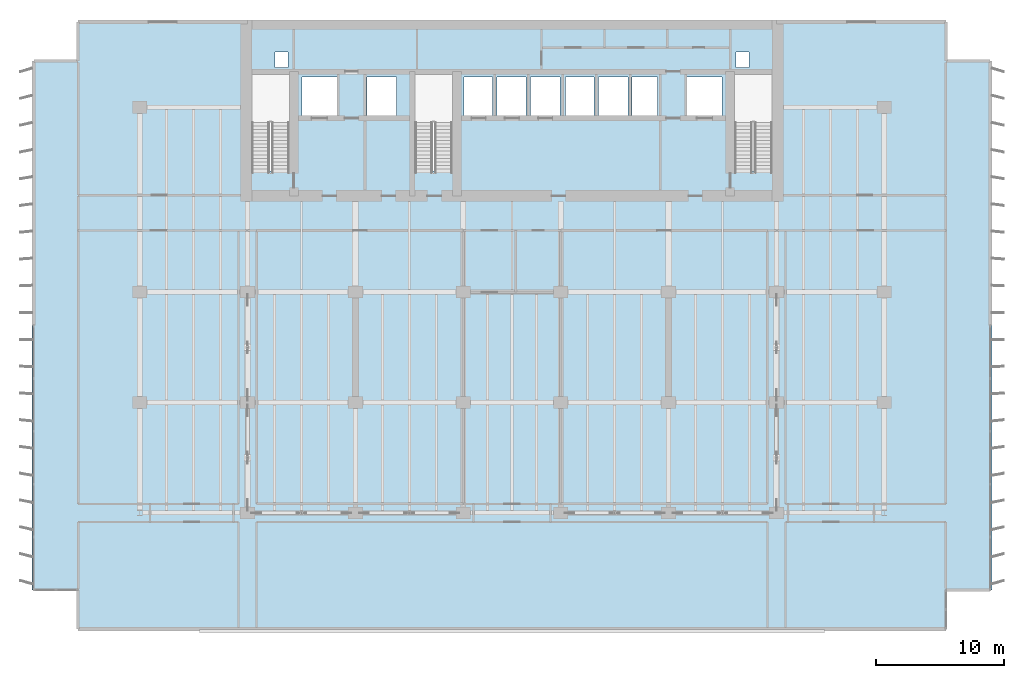
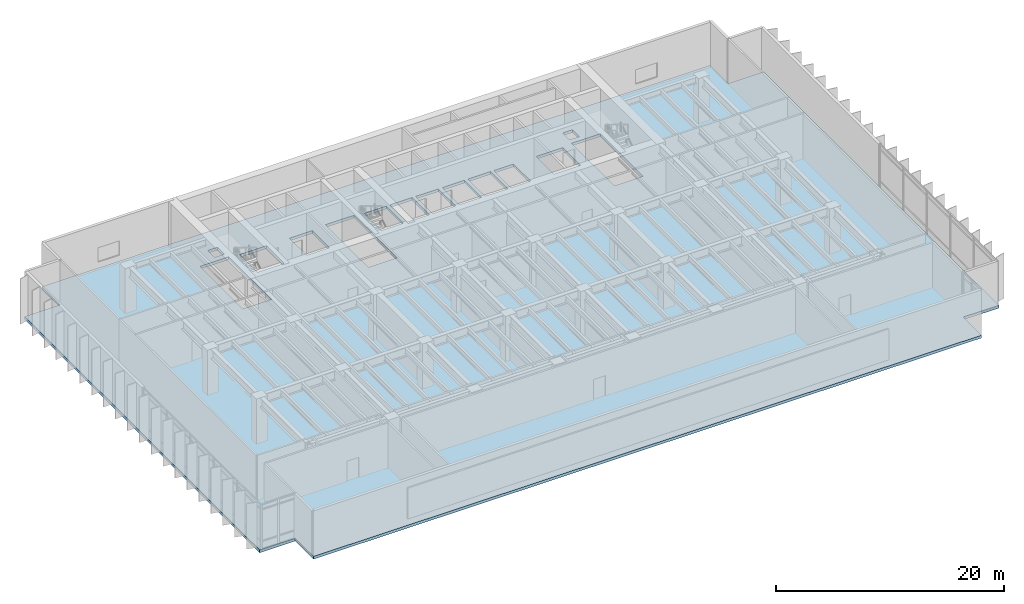
# One storey, part 12 of 21: 1 slab.
"""IFC4 building model written with IfcOpenShell, lengths in metres."""

import ifcopenshell
import ifcopenshell.guid

model = None  # the IFC model being written
_history = None  # IfcOwnerHistory: only IFC2X3 demands one
_inside = {}  # id of a spatial element -> (the spatial element, [elements in it])
_under = {}  # id of a project, library or spatial element -> (it, [spatial elements below it])
_declared = {}  # id of a project -> (the project, [libraries it declares])
_typed = {}  # id of a type object -> (the type object, [elements of that type])
_made_of = {}  # id of a material, layer set ... -> (it, [elements and type objects made of it])


def new_model(schema):
    """Start an empty IFC model of exactly this schema.

    Asked for "IFC4X3", IfcOpenShell would pick the latest addendum, in which some entities
    have other attributes; the version numbers below select the first issue.
    IFC2X3 requires an IfcOwnerHistory on every rooted entity: one is made here for all.
    """
    global model, _history
    if schema == "IFC4X3":
        model = ifcopenshell.file(schema_version=(4, 3, 0, 0))
    else:
        model = ifcopenshell.file(schema=schema)
    _inside.clear()
    _under.clear()
    _declared.clear()
    _typed.clear()
    _made_of.clear()
    _history = None
    if model.schema == "IFC2X3":
        org = make("IfcOrganization", Name="unknown")
        user = make(
            "IfcPersonAndOrganization",
            ThePerson=make("IfcPerson", FamilyName="unknown"),
            TheOrganization=org,
        )
        app = make(
            "IfcApplication",
            ApplicationDeveloper=org,
            Version="unknown",
            ApplicationFullName="unknown",
            ApplicationIdentifier="unknown",
        )
        _history = make(
            "IfcOwnerHistory",
            OwningUser=user,
            OwningApplication=app,
            ChangeAction="ADDED",
            CreationDate=0,
        )
    return model


def make(cls, **values):
    """One entity of the class cls with the attributes given. An attribute that is None is left unset."""
    return model.create_entity(
        cls, **{name: value for name, value in values.items() if value is not None}
    )


def rooted(cls, **values):
    """An entity with a GlobalId (a new one), such as an element, a storey or a relation."""
    return make(cls, GlobalId=ifcopenshell.guid.new(), OwnerHistory=_history, **values)


def si_unit(unit_type, name, prefix=None):
    """IfcSIUnit, for example si_unit("LENGTHUNIT", "METRE", prefix="MILLI")."""
    return make("IfcSIUnit", UnitType=unit_type, Prefix=prefix, Name=name)


def assignment(units):
    """IfcUnitAssignment: the units of a project."""
    return None if units is None else make("IfcUnitAssignment", Units=units)


def point(xyz):
    """IfcCartesianPoint."""
    return None if xyz is None else make("IfcCartesianPoint", Coordinates=xyz)


def direction(xyz):
    """IfcDirection."""
    return None if xyz is None else make("IfcDirection", DirectionRatios=xyz)


def frame(location, z_axis=None, x_axis=None):
    """IfcAxis2Placement3D, a coordinate frame: its origin and axes. An axis left out is left unset."""
    return make(
        "IfcAxis2Placement3D",
        Location=point(location),
        Axis=direction(z_axis),
        RefDirection=direction(x_axis),
    )


def origin():
    """The frame at (0, 0, 0) with its axes left unset."""
    return frame((0.0, 0.0, 0.0))


def place(relative_to, where):
    """IfcLocalPlacement: puts the frame where relative to a parent placement (None: the world)."""
    return make(
        "IfcLocalPlacement", PlacementRelTo=relative_to, RelativePlacement=where
    )


def context(
    kind, dimensions, precision=None, world=None, true_north=None, identifier=None
):
    """IfcGeometricRepresentationContext, for example the 3D "Model" context."""
    return make(
        "IfcGeometricRepresentationContext",
        ContextIdentifier=identifier,
        ContextType=kind,
        CoordinateSpaceDimension=dimensions,
        Precision=precision,
        WorldCoordinateSystem=world,
        TrueNorth=true_north,
    )


def subcontext(parent, identifier, kind, view, scale=None):
    """IfcGeometricRepresentationSubContext, for example "Body" below "Model"."""
    return make(
        "IfcGeometricRepresentationSubContext",
        ContextIdentifier=identifier,
        ContextType=kind,
        ParentContext=parent,
        TargetScale=scale,
        TargetView=view,
    )


def project(units=None, contexts=None):
    """IfcProject with its units and contexts."""
    return rooted(
        "IfcProject",
        Name="project",
        RepresentationContexts=contexts,
        UnitsInContext=assignment(units),
    )


def spatial(cls, under=None, at=None, **own):
    """A site, building, storey or space (cls), placed at a placement, below another one or the project."""
    s = rooted(cls, ObjectPlacement=at, **own)
    if under is not None:
        _under.setdefault(under.id(), (under, []))[1].append(s)
    return s


def polyline(points):
    """IfcPolyline through the points."""
    return make("IfcPolyline", Points=[point(p) for p in points])


def outline(outer, holes=None, kind="AREA"):
    """IfcArbitraryClosedProfileDef: a profile drawn as a closed curve; with holes, ...WithVoids."""
    if holes is None:
        return make("IfcArbitraryClosedProfileDef", ProfileType=kind, OuterCurve=outer)
    return make(
        "IfcArbitraryProfileDefWithVoids",
        ProfileType=kind,
        OuterCurve=outer,
        InnerCurves=holes,
    )


def extrude(swept, where, along, depth):
    """IfcExtrudedAreaSolid: the profile swept, set in the frame where, extruded along a direction by depth."""
    return make(
        "IfcExtrudedAreaSolid",
        SweptArea=swept,
        Position=where,
        ExtrudedDirection=direction(along),
        Depth=depth,
    )


def shape(context_of_items, identifier, shape_type, items):
    """IfcShapeRepresentation: the items that make up one representation, for example the "Body"."""
    return make(
        "IfcShapeRepresentation",
        ContextOfItems=context_of_items,
        RepresentationIdentifier=identifier,
        RepresentationType=shape_type,
        Items=items,
    )


def material(Name=None, Category=None):
    """IfcMaterial."""
    return make("IfcMaterial", Name=Name, Category=Category)


def layer(
    of_material, thickness, ventilated=None, Name=None, Category=None, Priority=None
):
    """IfcMaterialLayer: one layer of a wall or slab, of a material (None: an air gap)."""
    return make(
        "IfcMaterialLayer",
        Material=of_material,
        LayerThickness=thickness,
        IsVentilated=ventilated,
        Name=Name,
        Category=Category,
        Priority=Priority,
    )


def layer_set(layers, Name=None):
    """IfcMaterialLayerSet."""
    return make("IfcMaterialLayerSet", MaterialLayers=layers, LayerSetName=Name)


def made_of(thing, what):
    """Note that an element or type object is made of a material, layer set ...; save() writes the relation."""
    if what is not None:
        _made_of.setdefault(what.id(), (what, []))[1].append(thing)
    return thing


def type_object(cls, material=None, **own):
    """A type object (cls), such as IfcWallType, which elements share."""
    return made_of(rooted(cls, **own), material)


def element(
    cls,
    number,
    at=None,
    inside=None,
    cuts=None,
    type_object=None,
    material=None,
    context=None,
    identifier="Body",
    shape_type=None,
    held_by="IfcProductDefinitionShape",
    body=None,
    shapes=None,
    **own,
):
    """One element of the class cls, such as IfcWall. Its Tag is "e" and its number.

    at: its placement. inside: the storey or other place that contains it. cuts: it is an
    opening in that element (IfcRelVoidsElement). A single representation is given by context,
    identifier, shape_type and body (its items); several are given by shapes. held_by: the class
    of the entity that holds the representations. save() writes the other relations.
    """
    e = rooted(cls, Tag="e%d" % number, ObjectPlacement=at, **own)
    if body is not None:
        shapes = [shape(context, identifier, shape_type, body)]
    if shapes is not None:
        e.Representation = make(held_by, Representations=shapes)
    if inside is not None:
        _inside.setdefault(inside.id(), (inside, []))[1].append(e)
    if cuts is not None:
        rooted(
            "IfcRelVoidsElement", RelatingBuildingElement=cuts, RelatedOpeningElement=e
        )
    if type_object is not None:
        _typed.setdefault(type_object.id(), (type_object, []))[1].append(e)
    return made_of(e, material)


def aggregate(whole, parts):
    """IfcRelAggregates: a whole, such as a stair, and the parts it consists of."""
    return rooted("IfcRelAggregates", RelatingObject=whole, RelatedObjects=parts)


def save(model, path):
    """Write the relations noted so far, then the file.

    IfcRelAggregates (storeys below a building ...), IfcRelContainedInSpatialStructure (elements
    in a storey), IfcRelDefinesByType, IfcRelAssociatesMaterial and IfcRelDeclares: one each for
    every whole, place, type object, material and project.
    """
    for whole, parts in _under.values():
        aggregate(whole, parts)
    for where, things in _inside.values():
        rooted(
            "IfcRelContainedInSpatialStructure",
            RelatedElements=things,
            RelatingStructure=where,
        )
    for kind, things in _typed.values():
        rooted("IfcRelDefinesByType", RelatedObjects=things, RelatingType=kind)
    for what, things in _made_of.values():
        rooted("IfcRelAssociatesMaterial", RelatedObjects=things, RelatingMaterial=what)
    for by, libraries in _declared.values():
        rooted("IfcRelDeclares", RelatingContext=by, RelatedDefinitions=libraries)
    model.write(path)


model = new_model("IFC4")

# Units and contexts
model_context = context("Model", 3, precision=1e-05, world=origin(), true_north=direction((0.0, 1.0)))
body_context = subcontext(model_context, "Body", "Model", "MODEL_VIEW")
ifc_project = project(units=[si_unit("LENGTHUNIT", "METRE"), si_unit("AREAUNIT", "SQUARE_METRE"), si_unit("VOLUMEUNIT", "CUBIC_METRE"), si_unit("PLANEANGLEUNIT", "RADIAN"), si_unit("MASSUNIT", "GRAM", prefix="KILO")], contexts=[model_context])

# Site, building, storey
site_placement = place(None, origin())
site = spatial("IfcSite", under=ifc_project, at=site_placement, CompositionType="ELEMENT")
building_placement = place(site_placement, origin())
building = spatial("IfcBuilding", under=site, at=building_placement, Name="Caelmar Bay Residences", CompositionType="ELEMENT")
storey_placement = place(building_placement, frame((0.0, 0.0, 79.5)))
storey = spatial("IfcBuildingStorey", under=building, at=storey_placement, Name="L21", CompositionType="ELEMENT", Elevation=79.5)

# Slab
ifc_material = material(Name="Concrete f'c 40 MPa (6,000 psi)", Category="concrete")
ifc_layer = layer(ifc_material, 0.300048828125)
ifc_layer_set = layer_set([ifc_layer], Name="Concrete f'c 40 MPa (6,000 psi)")
slab_type = type_object("IfcSlabType", Name="SLB-POD-300", PredefinedType="FLOOR", material=ifc_layer_set)
slab_placement = place(storey_placement, frame((0.0, 0.0, -0.300048828125)))
element("IfcSlab", 1, at=slab_placement, inside=storey, type_object=slab_type, Name="L21 Structural Floor Slab", PredefinedType="FLOOR", context=body_context, shape_type="SweptSolid", body=[
    extrude(outline(polyline([(5.10009765625, 3.0), (72.699951171875, 3.0), (72.699951171875, 6.199951171875), (76.300048828125, 6.199951171875), (76.300048828125, 47.39990234375), (72.699951171875, 47.39990234375), (72.699951171875, 50.60009765625), (5.10009765625, 50.60009765625), (5.10009765625, 47.39990234375), (1.5, 47.39990234375), (1.5, 6.199951171875), (5.10009765625, 6.199951171875), (5.10009765625, 3.0)]), holes=[polyline([(18.64990234375, 38.85009765625), (21.550048828125, 38.85009765625), (21.550048828125, 46.35009765625), (18.64990234375, 46.35009765625), (18.64990234375, 38.85009765625)]), polyline([(56.25, 38.85009765625), (59.14990234375, 38.85009765625), (59.14990234375, 46.35009765625), (56.25, 46.35009765625), (56.25, 38.85009765625)]), polyline([(31.35009765625, 38.85009765625), (34.25, 38.85009765625), (34.25, 46.35009765625), (31.35009765625, 46.35009765625), (31.35009765625, 38.85009765625)]), polyline([(22.550048828125, 43.050048828125), (25.25, 43.050048828125), (25.25, 46.14990234375), (22.550048828125, 46.14990234375), (22.550048828125, 43.050048828125)]), polyline([(52.550048828125, 43.050048828125), (55.25, 43.050048828125), (55.25, 46.14990234375), (52.550048828125, 46.14990234375), (52.550048828125, 43.050048828125)]), polyline([(35.14990234375, 43.14990234375), (37.39990234375, 43.14990234375), (37.39990234375, 46.14990234375), (35.14990234375, 46.14990234375), (35.14990234375, 43.14990234375)]), polyline([(37.75, 43.14990234375), (40.0, 43.14990234375), (40.0, 46.14990234375), (37.75, 46.14990234375), (37.75, 43.14990234375)]), polyline([(40.35009765625, 43.14990234375), (42.64990234375, 43.14990234375), (42.64990234375, 46.14990234375), (40.35009765625, 46.14990234375), (40.35009765625, 43.14990234375)]), polyline([(43.050048828125, 43.14990234375), (45.300048828125, 43.14990234375), (45.300048828125, 46.14990234375), (43.050048828125, 46.14990234375), (43.050048828125, 43.14990234375)]), polyline([(45.64990234375, 43.14990234375), (47.949951171875, 43.14990234375), (47.949951171875, 46.14990234375), (45.64990234375, 46.14990234375), (45.64990234375, 43.14990234375)]), polyline([(48.25, 43.14990234375), (50.25, 43.14990234375), (50.25, 46.14990234375), (48.25, 46.14990234375), (48.25, 43.14990234375)]), polyline([(27.60009765625, 43.14990234375), (29.89990234375, 43.14990234375), (29.89990234375, 46.14990234375), (27.60009765625, 46.14990234375), (27.60009765625, 43.14990234375)]), polyline([(20.449951171875, 46.89990234375), (21.449951171875, 46.89990234375), (21.449951171875, 48.10009765625), (20.449951171875, 48.10009765625), (20.449951171875, 46.89990234375)]), polyline([(56.35009765625, 46.89990234375), (57.35009765625, 46.89990234375), (57.35009765625, 48.10009765625), (56.35009765625, 48.10009765625), (56.35009765625, 46.89990234375)])]), origin(), (0.0, 0.0, 1.0), 0.300048828125),
])

save(model, "model.ifc")
